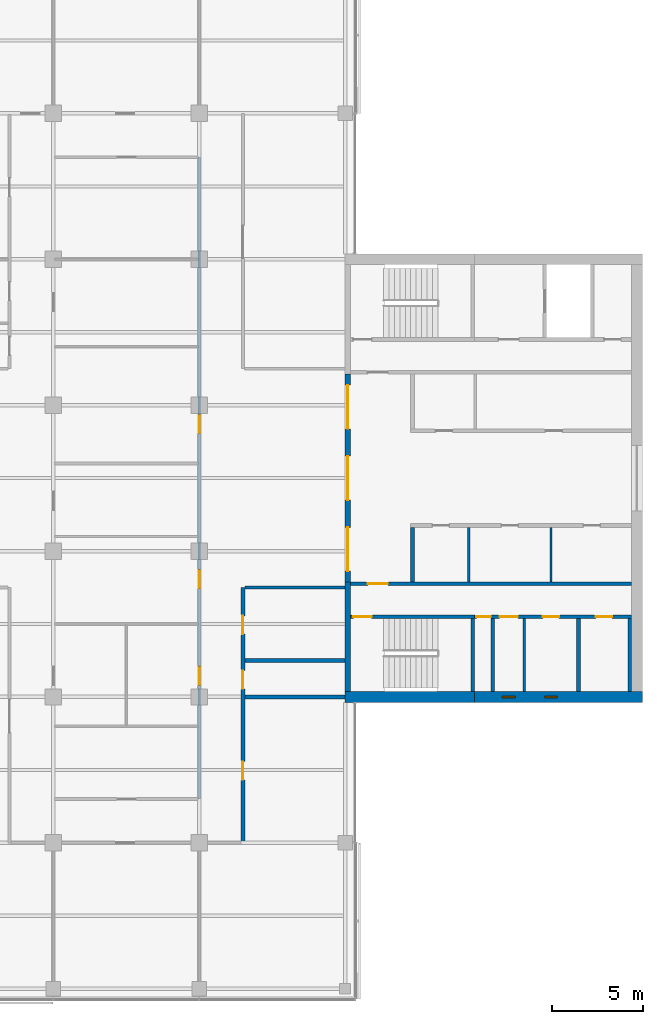
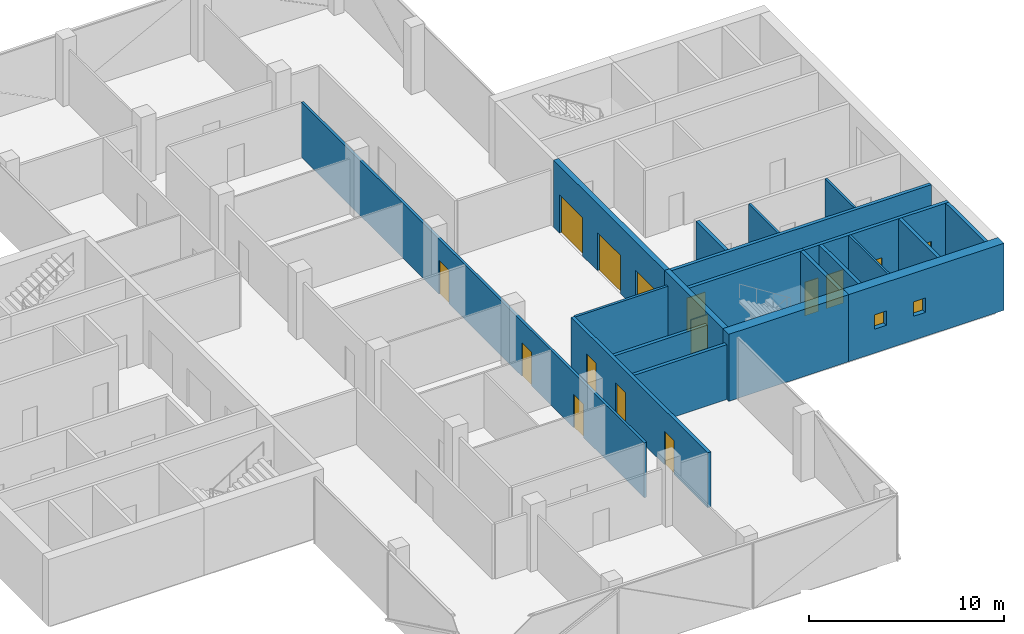
# One storey, part 10 of 15: 20 walls, 15 doors, 2 windows, 17 openings.
"""IFC4 building model written with IfcOpenShell, lengths in metres."""

from ifc_helpers import new_model, si_unit, direction, frame, frame_2d, origin, place, context, subcontext, project, spatial, rectangle, extrude, material, layer, layer_set, constituent, constituent_set, type_object, element, fill, save


model = new_model("IFC4")

# Units and contexts
model_context = context("Model", 3, precision=1e-05, world=origin(), true_north=direction((0.0, 1.0)))
body_context = subcontext(model_context, "Body", "Model", "MODEL_VIEW")
ifc_project = project(units=[si_unit("LENGTHUNIT", "METRE"), si_unit("AREAUNIT", "SQUARE_METRE"), si_unit("VOLUMEUNIT", "CUBIC_METRE"), si_unit("PLANEANGLEUNIT", "RADIAN"), si_unit("MASSUNIT", "GRAM", prefix="KILO")], contexts=[model_context])

# Site, building, storey
site_placement = place(None, origin())
site = spatial("IfcSite", under=ifc_project, at=site_placement, CompositionType="ELEMENT")
building_placement = place(site_placement, origin())
building = spatial("IfcBuilding", under=site, at=building_placement, Name="Crosswind Convention Tower", CompositionType="ELEMENT")
storey_placement = place(building_placement, frame((0.0, 0.0, 187.300048828125)))
storey = spatial("IfcBuildingStorey", under=building, at=storey_placement, Name="L39", CompositionType="ELEMENT", Elevation=187.300048828125)

# Wall
ifc_material_1 = material(Name="Concrete blockwork", Category="masonry")
ifc_layer_1 = layer(ifc_material_1, 0.199951171875)
ifc_layer_set_1 = layer_set([ifc_layer_1], Name="Blockwork partition wall 200")
wall_type_1 = type_object("IfcWallType", Name="Blockwork partition wall 200", PredefinedType="PARTITIONING", material=ifc_layer_set_1)
wall_1_placement = place(storey_placement, frame((145.10009765625, 88.300048828125, 0.0), z_axis=(0.0, 0.0, 1.0), x_axis=(0.0, 1.0, 0.0)))
element("IfcWall", 1, at=wall_1_placement, inside=storey, type_object=wall_type_1, Name="Wall MRSE E L39", PredefinedType="PARTITIONING", context=body_context, shape_type="SweptSolid", body=[
    extrude(rectangle(XDim=4.0, YDim=0.199951171875, at=frame_2d((2.0, 0.0))), origin(), (0.0, 0.0, 1.0), 4.199951171875),
])

# Wall, openings, doors
ifc_layer_2 = layer(ifc_material_1, 0.199951171875)
ifc_layer_set_2 = layer_set([ifc_layer_2], Name="COMPARTMENT WALL 200 BLOCKWORK")
wall_type_2 = type_object("IfcWallType", Name="COMPARTMENT WALL 200 BLOCKWORK", PredefinedType="SOLIDWALL", material=ifc_layer_set_2)
wall_2_placement = place(storey_placement, frame((131.39990234375, 80.0, 0.0), z_axis=(0.0, 0.0, 1.0), x_axis=(0.0, 1.0, 0.0)))
wall_2 = element("IfcWall", 2, at=wall_2_placement, inside=storey, type_object=wall_type_2, Name="Compartment wall WT42", PredefinedType="SOLIDWALL", context=body_context, shape_type="SweptSolid", body=[
    extrude(rectangle(XDim=14.0, YDim=0.199951171875, at=frame_2d((7.0, 0.0))), origin(), (0.0, 0.0, 1.0), 3.439697265625),
])
opening_1_placement = place(wall_2_placement, frame((11.449951171875, 0.0, 0.0)))
opening_1 = element("IfcOpeningElement", 3, at=opening_1_placement, cuts=wall_2, Name="Opening L39-51", PredefinedType="OPENING", context=body_context, shape_type="SweptSolid", body=[
    extrude(rectangle(XDim=1.0, YDim=2.10009765625, at=frame_2d((0.5, 1.050048828125))), frame((0.0, 0.10986328125, 0.0), z_axis=(0.0, -1.0, 0.0), x_axis=(1.0, 0.0, 0.0)), (0.0, 0.0, 1.0), 0.219970703125),
])
opening_2_placement = place(wall_2_placement, frame((8.449951171875, 0.0, 0.0)))
opening_2 = element("IfcOpeningElement", 4, at=opening_2_placement, cuts=wall_2, Name="Opening L39-52", PredefinedType="OPENING", context=body_context, shape_type="SweptSolid", body=[
    extrude(rectangle(XDim=1.0, YDim=2.10009765625, at=frame_2d((0.5, 1.050048828125))), frame((0.0, 0.10986328125, 0.0), z_axis=(0.0, -1.0, 0.0), x_axis=(1.0, 0.0, 0.0)), (0.0, 0.0, 1.0), 0.219970703125),
])
opening_3_placement = place(wall_2_placement, frame((3.449951171875, 0.0, 0.0)))
opening_3 = element("IfcOpeningElement", 5, at=opening_3_placement, cuts=wall_2, Name="Opening L39-53", PredefinedType="OPENING", context=body_context, shape_type="SweptSolid", body=[
    extrude(rectangle(XDim=1.0, YDim=2.10009765625, at=frame_2d((0.5, 1.050048828125))), frame((0.0, 0.10986328125, 0.0), z_axis=(0.0, -1.0, 0.0), x_axis=(1.0, 0.0, 0.0)), (0.0, 0.0, 1.0), 0.219970703125),
])
ifc_material_2 = material(Name="Steel fire door", Category="steel")
door_type_1 = type_object("IfcDoorType", Name="PLANT ROOM DOOR 1000X2100 FD60", OperationType="NOTDEFINED", PredefinedType="DOOR", material=ifc_material_2)
door_1_placement = place(opening_2_placement, frame((1.0, 0.0, 0.0), z_axis=(0.0, 0.0, 1.0), x_axis=(-1.0, 0.0, 0.0)))
door_1 = element("IfcDoor", 6, at=door_1_placement, inside=storey, type_object=door_type_1, Name="Door L39-52", ObjectType="D43", OperationType="SINGLE_SWING_RIGHT", OverallHeight=2.10009765625, OverallWidth=1.0, PredefinedType="DOOR", context=body_context, shape_type="SweptSolid", body=[
    extrude(rectangle(XDim=1.0, YDim=2.10009765625, at=frame_2d((0.5, 1.050048828125))), frame((0.0, 0.02490234375, 0.0), z_axis=(0.0, -1.0, 0.0), x_axis=(1.0, 0.0, 0.0)), (0.0, 0.0, 1.0), 0.050048828125),
])
fill(opening_2, door_1)
ifc_material_3 = material(Name="Timber fire door", Category="wood")
door_type_2 = type_object("IfcDoorType", Name="TENANCY ENTRANCE DOOR 1000X2100 FD30S", OperationType="NOTDEFINED", PredefinedType="DOOR", material=ifc_material_3)
door_2_placement = place(opening_1_placement, frame((1.0, 0.0, 0.0), z_axis=(0.0, 0.0, 1.0), x_axis=(-1.0, 0.0, 0.0)))
door_2 = element("IfcDoor", 7, at=door_2_placement, inside=storey, type_object=door_type_2, Name="Door L39-51", ObjectType="D41", OperationType="SINGLE_SWING_RIGHT", OverallHeight=2.10009765625, OverallWidth=1.0, PredefinedType="DOOR", context=body_context, shape_type="SweptSolid", body=[
    extrude(rectangle(XDim=1.0, YDim=2.10009765625, at=frame_2d((0.5, 1.050048828125))), frame((0.0, 0.02490234375, 0.0), z_axis=(0.0, -1.0, 0.0), x_axis=(1.0, 0.0, 0.0)), (0.0, 0.0, 1.0), 0.050048828125),
])
fill(opening_1, door_2)
door_3_placement = place(opening_3_placement, frame((1.0, 0.0, 0.0), z_axis=(0.0, 0.0, 1.0), x_axis=(-1.0, 0.0, 0.0)))
door_3 = element("IfcDoor", 8, at=door_3_placement, inside=storey, type_object=door_type_2, Name="Door L39-53", ObjectType="D41", OperationType="SINGLE_SWING_LEFT", OverallHeight=2.10009765625, OverallWidth=1.0, PredefinedType="DOOR", context=body_context, shape_type="SweptSolid", body=[
    extrude(rectangle(XDim=1.0, YDim=2.10009765625, at=frame_2d((0.5, 1.050048828125))), frame((0.0, 0.02490234375, 0.0), z_axis=(0.0, -1.0, 0.0), x_axis=(1.0, 0.0, 0.0)), (0.0, 0.0, 1.0), 0.050048828125),
])
fill(opening_3, door_3)

# Walls
for number, where, z_axis, x_axis, name in (
    (9, (131.5, 88.0, 0.0), (0.0, 0.0, 1.0), (1.0, 0.0, 0.0), "Compartment wall WT42"),
    (10, (131.5, 90.0, 0.0), (0.0, 0.0, 1.0), (1.0, 0.0, 0.0), "Compartment wall WT42"),
):
    element("IfcWall", number, at=place(storey_placement, frame(where, z_axis=z_axis, x_axis=x_axis)), inside=storey, type_object=wall_type_2, Name=name, PredefinedType="SOLIDWALL", context=body_context, shape_type="SweptSolid", body=[
        extrude(rectangle(XDim=5.5, YDim=0.199951171875, at=frame_2d((2.75, 0.0))), origin(), (0.0, 0.0, 1.0), 3.439697265625),
    ])

# Wall, openings, doors
ifc_material_4 = material(Name="Concrete C50/60", Category="concrete")
ifc_layer_3 = layer(ifc_material_4, 0.300048828125)
ifc_layer_set_3 = layer_set([ifc_layer_3], Name="Concrete C50/60")
wall_type_3 = type_object("IfcWallType", Name="Concrete inner core wall 300", PredefinedType="SHEAR", material=ifc_layer_set_3)
wall_3_placement = place(storey_placement, frame((137.14990234375, 94.300048828125, 0.0), z_axis=(0.0, 0.0, 1.0), x_axis=(0.0, 1.0, 0.0)))
wall_3 = element("IfcWall", 11, at=wall_3_placement, inside=storey, type_object=wall_type_3, Name="Wall SCR E L39", PredefinedType="SHEAR", context=body_context, shape_type="SweptSolid", body=[
    extrude(rectangle(XDim=11.39990234375, YDim=0.300048828125, at=frame_2d((5.699951171875, 0.0))), origin(), (0.0, 0.0, 1.0), 4.199951171875),
])
opening_4_placement = place(wall_3_placement, frame((0.60009765625, 0.0, 0.0)))
opening_4 = element("IfcOpeningElement", 12, at=opening_4_placement, cuts=wall_3, Name="Opening D100", PredefinedType="OPENING", context=body_context, shape_type="SweptSolid", body=[
    extrude(rectangle(XDim=2.39990234375, YDim=2.39990234375, at=frame_2d((1.199951171875, 1.199951171875))), frame((0.0, 0.159912109375, 0.0), z_axis=(0.0, -1.0, 0.0), x_axis=(1.0, 0.0, 0.0)), (0.0, 0.0, 1.0), 0.320068359375),
])
opening_5_placement = place(wall_3_placement, frame((4.5, 0.0, 0.0)))
opening_5 = element("IfcOpeningElement", 13, at=opening_5_placement, cuts=wall_3, Name="Opening D100", PredefinedType="OPENING", context=body_context, shape_type="SweptSolid", body=[
    extrude(rectangle(XDim=2.39990234375, YDim=2.39990234375, at=frame_2d((1.199951171875, 1.199951171875))), frame((0.0, 0.159912109375, 0.0), z_axis=(0.0, -1.0, 0.0), x_axis=(1.0, 0.0, 0.0)), (0.0, 0.0, 1.0), 0.320068359375),
])
opening_6_placement = place(wall_3_placement, frame((8.39990234375, 0.0, 0.0)))
opening_6 = element("IfcOpeningElement", 14, at=opening_6_placement, cuts=wall_3, Name="Opening D100", PredefinedType="OPENING", context=body_context, shape_type="SweptSolid", body=[
    extrude(rectangle(XDim=2.39990234375, YDim=2.39990234375, at=frame_2d((1.199951171875, 1.199951171875))), frame((0.0, 0.159912109375, 0.0), z_axis=(0.0, -1.0, 0.0), x_axis=(1.0, 0.0, 0.0)), (0.0, 0.0, 1.0), 0.320068359375),
])
ifc_material_5 = material(Name="Steel fire door with glazed vision panels", Category="steel")
door_type_3 = type_object("IfcDoorType", Name="Fire-rated double door 2400x2400", OperationType="DOUBLE_DOOR_SINGLE_SWING", PredefinedType="DOOR", material=ifc_material_5)
door_4_placement = place(opening_4_placement, origin())
door_4 = element("IfcDoor", 15, at=door_4_placement, inside=storey, type_object=door_type_3, Name="Lobby door 1 L39", ObjectType="D100", OperationType="DOUBLE_DOOR_SINGLE_SWING", OverallHeight=2.39990234375, OverallWidth=2.39990234375, PredefinedType="DOOR", context=body_context, shape_type="SweptSolid", body=[
    extrude(rectangle(XDim=2.39990234375, YDim=2.39990234375, at=frame_2d((1.199951171875, 1.199951171875))), frame((0.0, 0.02490234375, 0.0), z_axis=(0.0, -1.0, 0.0), x_axis=(1.0, 0.0, 0.0)), (0.0, 0.0, 1.0), 0.050048828125),
])
fill(opening_4, door_4)
door_5_placement = place(opening_5_placement, origin())
door_5 = element("IfcDoor", 16, at=door_5_placement, inside=storey, type_object=door_type_3, Name="Lobby door 2 L39", ObjectType="D100", OperationType="DOUBLE_DOOR_SINGLE_SWING", OverallHeight=2.39990234375, OverallWidth=2.39990234375, PredefinedType="DOOR", context=body_context, shape_type="SweptSolid", body=[
    extrude(rectangle(XDim=2.39990234375, YDim=2.39990234375, at=frame_2d((1.199951171875, 1.199951171875))), frame((0.0, 0.02490234375, 0.0), z_axis=(0.0, -1.0, 0.0), x_axis=(1.0, 0.0, 0.0)), (0.0, 0.0, 1.0), 0.050048828125),
])
fill(opening_5, door_5)
door_6_placement = place(opening_6_placement, origin())
door_6 = element("IfcDoor", 17, at=door_6_placement, inside=storey, type_object=door_type_3, Name="Lobby door 3 L39", ObjectType="D100", OperationType="DOUBLE_DOOR_SINGLE_SWING", OverallHeight=2.39990234375, OverallWidth=2.39990234375, PredefinedType="DOOR", context=body_context, shape_type="SweptSolid", body=[
    extrude(rectangle(XDim=2.39990234375, YDim=2.39990234375, at=frame_2d((1.199951171875, 1.199951171875))), frame((0.0, 0.02490234375, 0.0), z_axis=(0.0, -1.0, 0.0), x_axis=(1.0, 0.0, 0.0)), (0.0, 0.0, 1.0), 0.050048828125),
])
fill(opening_6, door_6)

# Walls
wall_4_placement = place(storey_placement, frame((137.14990234375, 88.300048828125, 0.0), z_axis=(0.0, 0.0, 1.0), x_axis=(0.0, 1.0, 0.0)))
element("IfcWall", 18, at=wall_4_placement, inside=storey, type_object=wall_type_3, Name="Wall EM E L39", PredefinedType="SHEAR", context=body_context, shape_type="SweptSolid", body=[
    extrude(rectangle(XDim=6.0, YDim=0.300048828125, at=frame_2d((3.0, 0.0))), origin(), (0.0, 0.0, 1.0), 4.199951171875),
])
ifc_layer_4 = layer(ifc_material_4, 0.199951171875)
ifc_layer_set_4 = layer_set([ifc_layer_4], Name="Concrete C50/60")
wall_type_4 = type_object("IfcWallType", Name="Concrete shaft and stair wall 200", PredefinedType="SHEAR", material=ifc_layer_set_4)
wall_5_placement = place(storey_placement, frame((140.699951171875, 94.300048828125, 0.0), z_axis=(0.0, 0.0, 1.0), x_axis=(0.0, 1.0, 0.0)))
element("IfcWall", 19, at=wall_5_placement, inside=storey, type_object=wall_type_4, Name="Wall RMEND E L39", PredefinedType="SHEAR", context=body_context, shape_type="SweptSolid", body=[
    extrude(rectangle(XDim=3.0, YDim=0.199951171875, at=frame_2d((1.5, 0.0))), origin(), (0.0, 0.0, 1.0), 4.199951171875),
])

# Wall, opening, door
wall_6_placement = place(storey_placement, frame((137.300048828125, 94.199951171875, 0.0), z_axis=(0.0, 0.0, 1.0), x_axis=(1.0, 0.0, 0.0)))
wall_6 = element("IfcWall", 20, at=wall_6_placement, inside=storey, type_object=wall_type_4, Name="Wall HM E L39", PredefinedType="SHEAR", context=body_context, shape_type="SweptSolid", body=[
    extrude(rectangle(XDim=15.39990234375, YDim=0.199951171875, at=frame_2d((7.699951171875, 0.0))), origin(), (0.0, 0.0, 1.0), 4.199951171875),
])
opening_7_placement = place(wall_6_placement, frame((0.949951171875, 0.0, 0.0)))
opening_7 = element("IfcOpeningElement", 21, at=opening_7_placement, cuts=wall_6, Name="Opening D104", PredefinedType="OPENING", context=body_context, shape_type="SweptSolid", body=[
    extrude(rectangle(XDim=1.10009765625, YDim=2.10009765625, at=frame_2d((0.550048828125, 1.050048828125))), frame((0.0, 0.10986328125, 0.0), z_axis=(0.0, -1.0, 0.0), x_axis=(1.0, 0.0, 0.0)), (0.0, 0.0, 1.0), 0.219970703125),
])
door_type_4 = type_object("IfcDoorType", Name="Fire-rated single door 1100x2100", OperationType="NOTDEFINED", PredefinedType="DOOR", material=ifc_material_2)
door_7_placement = place(opening_7_placement, origin())
door_7 = element("IfcDoor", 22, at=door_7_placement, inside=storey, type_object=door_type_4, Name="Corridor door L39", ObjectType="D104", OperationType="SINGLE_SWING_LEFT", OverallHeight=2.10009765625, OverallWidth=1.10009765625, PredefinedType="DOOR", context=body_context, shape_type="SweptSolid", body=[
    extrude(rectangle(XDim=1.10009765625, YDim=2.10009765625, at=frame_2d((0.550048828125, 1.050048828125))), frame((0.0, 0.02490234375, 0.0), z_axis=(0.0, -1.0, 0.0), x_axis=(1.0, 0.0, 0.0)), (0.0, 0.0, 1.0), 0.050048828125),
])
fill(opening_7, door_7)

# Walls
for number, where, z_axis, x_axis, name in (
    (23, (144.0, 88.300048828125, 0.0), (0.0, 0.0, 1.0), (0.0, 1.0, 0.0), "Wall MSE E L39"),
    (24, (149.800048828125, 88.300048828125, 0.0), (0.0, 0.0, 1.0), (0.0, 1.0, 0.0), "Wall MFSW E L39"),
    (25, (152.60009765625, 88.300048828125, 0.0), (0.0, 0.0, 1.0), (0.0, 1.0, 0.0), "Wall MFSE E L39"),
):
    element("IfcWall", number, at=place(storey_placement, frame(where, z_axis=z_axis, x_axis=x_axis)), inside=storey, type_object=wall_type_4, Name=name, PredefinedType="SHEAR", context=body_context, shape_type="SweptSolid", body=[
        extrude(rectangle(XDim=4.0, YDim=0.199951171875, at=frame_2d((2.0, 0.0))), origin(), (0.0, 0.0, 1.0), 4.199951171875),
    ])

# Wall, opening, door
wall_7_placement = place(storey_placement, frame((137.300048828125, 92.39990234375, 0.0), z_axis=(0.0, 0.0, 1.0), x_axis=(1.0, 0.0, 0.0)))
wall_7 = element("IfcWall", 26, at=wall_7_placement, inside=storey, type_object=wall_type_4, Name="Wall MCW E L39", PredefinedType="SHEAR", context=body_context, shape_type="SweptSolid", body=[
    extrude(rectangle(XDim=6.800048828125, YDim=0.199951171875, at=frame_2d((3.39990234375, 0.0))), origin(), (0.0, 0.0, 1.0), 4.199951171875),
])
opening_8_placement = place(wall_7_placement, frame((0.14990234375, 0.0, 0.0)))
opening_8 = element("IfcOpeningElement", 27, at=opening_8_placement, cuts=wall_7, Name="Opening D103", PredefinedType="OPENING", context=body_context, shape_type="SweptSolid", body=[
    extrude(rectangle(XDim=1.0, YDim=2.10009765625, at=frame_2d((0.5, 1.050048828125))), frame((0.0, 0.10986328125, 0.0), z_axis=(0.0, -1.0, 0.0), x_axis=(1.0, 0.0, 0.0)), (0.0, 0.0, 1.0), 0.219970703125),
])
door_type_5 = type_object("IfcDoorType", Name="Fire-rated single door 1000x2100", OperationType="NOTDEFINED", PredefinedType="DOOR", material=ifc_material_2)
door_8_placement = place(opening_8_placement, frame((1.0, 0.0, 0.0), z_axis=(0.0, 0.0, 1.0), x_axis=(-1.0, 0.0, 0.0)))
door_8 = element("IfcDoor", 28, at=door_8_placement, inside=storey, type_object=door_type_5, Name="Stair ST2 door L39", ObjectType="D103", OperationType="SINGLE_SWING_RIGHT", OverallHeight=2.10009765625, OverallWidth=1.0, PredefinedType="DOOR", context=body_context, shape_type="SweptSolid", body=[
    extrude(rectangle(XDim=1.0, YDim=2.10009765625, at=frame_2d((0.5, 1.050048828125))), frame((0.0, 0.02490234375, 0.0), z_axis=(0.0, -1.0, 0.0), x_axis=(1.0, 0.0, 0.0)), (0.0, 0.0, 1.0), 0.050048828125),
])
fill(opening_8, door_8)

# Wall, openings, doors
wall_8_placement = place(storey_placement, frame((144.10009765625, 92.39990234375, 0.0), z_axis=(0.0, 0.0, 1.0), x_axis=(1.0, 0.0, 0.0)))
wall_8 = element("IfcWall", 29, at=wall_8_placement, inside=storey, type_object=wall_type_4, Name="Wall MCX E L39", PredefinedType="SHEAR", context=body_context, shape_type="SweptSolid", body=[
    extrude(rectangle(XDim=8.599853515625, YDim=0.199951171875, at=frame_2d((4.2998046875, 0.0))), origin(), (0.0, 0.0, 1.0), 4.199951171875),
])
opening_9_placement = place(wall_8_placement, frame((0.10009765625, 0.0, 0.0)))
opening_9 = element("IfcOpeningElement", 30, at=opening_9_placement, cuts=wall_8, Name="Opening D105", PredefinedType="OPENING", context=body_context, shape_type="SweptSolid", body=[
    extrude(rectangle(XDim=0.800048828125, YDim=2.10009765625, at=frame_2d((0.39990234375, 1.050048828125))), frame((0.0, 0.10986328125, 0.0), z_axis=(0.0, -1.0, 0.0), x_axis=(1.0, 0.0, 0.0)), (0.0, 0.0, 1.0), 0.219970703125),
])
opening_10_placement = place(wall_8_placement, frame((1.378662109375, 0.0, 0.0)))
opening_10 = element("IfcOpeningElement", 31, at=opening_10_placement, cuts=wall_8, Name="Opening D103", PredefinedType="OPENING", context=body_context, shape_type="SweptSolid", body=[
    extrude(rectangle(XDim=1.0, YDim=2.10009765625, at=frame_2d((0.5, 1.050048828125))), frame((0.0, 0.10986328125, 0.0), z_axis=(0.0, -1.0, 0.0), x_axis=(1.0, 0.0, 0.0)), (0.0, 0.0, 1.0), 0.219970703125),
])
opening_11_placement = place(wall_8_placement, frame((3.7412109375, 0.0, 0.0)))
opening_11 = element("IfcOpeningElement", 32, at=opening_11_placement, cuts=wall_8, Name="Opening D106", PredefinedType="OPENING", context=body_context, shape_type="SweptSolid", body=[
    extrude(rectangle(XDim=0.89990234375, YDim=2.10009765625, at=frame_2d((0.449951171875, 1.050048828125))), frame((0.0, 0.10986328125, 0.0), z_axis=(0.0, -1.0, 0.0), x_axis=(1.0, 0.0, 0.0)), (0.0, 0.0, 1.0), 0.219970703125),
])
opening_12_placement = place(wall_8_placement, frame((6.64990234375, 0.0, 0.0)))
opening_12 = element("IfcOpeningElement", 33, at=opening_12_placement, cuts=wall_8, Name="Opening D106", PredefinedType="OPENING", context=body_context, shape_type="SweptSolid", body=[
    extrude(rectangle(XDim=0.89990234375, YDim=2.10009765625, at=frame_2d((0.449951171875, 1.050048828125))), frame((0.0, 0.10986328125, 0.0), z_axis=(0.0, -1.0, 0.0), x_axis=(1.0, 0.0, 0.0)), (0.0, 0.0, 1.0), 0.219970703125),
])
door_9_placement = place(opening_10_placement, frame((1.0, 0.0, 0.0), z_axis=(0.0, 0.0, 1.0), x_axis=(-1.0, 0.0, 0.0)))
door_9 = element("IfcDoor", 34, at=door_9_placement, inside=storey, type_object=door_type_5, Name="Door to accessible wc L39", ObjectType="D103", OperationType="SINGLE_SWING_LEFT", OverallHeight=2.10009765625, OverallWidth=1.0, PredefinedType="DOOR", context=body_context, shape_type="SweptSolid", body=[
    extrude(rectangle(XDim=1.0, YDim=2.10009765625, at=frame_2d((0.5, 1.050048828125))), frame((0.0, 0.02490234375, 0.0), z_axis=(0.0, -1.0, 0.0), x_axis=(1.0, 0.0, 0.0)), (0.0, 0.0, 1.0), 0.050048828125),
])
fill(opening_10, door_9)
door_type_6 = type_object("IfcDoorType", Name="Riser access door 800x2100", OperationType="NOTDEFINED", PredefinedType="DOOR", material=ifc_material_2)
door_10_placement = place(opening_9_placement, frame((0.800048828125, 0.0, 0.0), z_axis=(0.0, 0.0, 1.0), x_axis=(-1.0, 0.0, 0.0)))
door_10 = element("IfcDoor", 35, at=door_10_placement, inside=storey, type_object=door_type_6, Name="Riser door L39", ObjectType="D105", OperationType="SINGLE_SWING_LEFT", OverallHeight=2.10009765625, OverallWidth=0.800048828125, PredefinedType="DOOR", context=body_context, shape_type="SweptSolid", body=[
    extrude(rectangle(XDim=0.800048828125, YDim=2.10009765625, at=frame_2d((0.39990234375, 1.050048828125))), frame((0.0, 0.02490234375, 0.0), z_axis=(0.0, -1.0, 0.0), x_axis=(1.0, 0.0, 0.0)), (0.0, 0.0, 1.0), 0.050048828125),
])
fill(opening_9, door_10)
ifc_material_6 = material(Name="Timber door", Category="wood")
door_type_7 = type_object("IfcDoorType", Name="Single leaf door 900x2100", OperationType="NOTDEFINED", PredefinedType="DOOR", material=ifc_material_6)
door_11_placement = place(opening_11_placement, frame((0.89990234375, 0.0, 0.0), z_axis=(0.0, 0.0, 1.0), x_axis=(-1.0, 0.0, 0.0)))
door_11 = element("IfcDoor", 36, at=door_11_placement, inside=storey, type_object=door_type_7, Name="Door to wc L39", ObjectType="D106", OperationType="SINGLE_SWING_LEFT", OverallHeight=2.10009765625, OverallWidth=0.89990234375, PredefinedType="DOOR", context=body_context, shape_type="SweptSolid", body=[
    extrude(rectangle(XDim=0.89990234375, YDim=2.10009765625, at=frame_2d((0.449951171875, 1.050048828125))), frame((0.0, 0.02490234375, 0.0), z_axis=(0.0, -1.0, 0.0), x_axis=(1.0, 0.0, 0.0)), (0.0, 0.0, 1.0), 0.050048828125),
])
fill(opening_11, door_11)
door_12_placement = place(opening_12_placement, frame((0.89990234375, 0.0, 0.0), z_axis=(0.0, 0.0, 1.0), x_axis=(-1.0, 0.0, 0.0)))
door_12 = element("IfcDoor", 37, at=door_12_placement, inside=storey, type_object=door_type_7, Name="Door to wc L39", ObjectType="D106", OperationType="SINGLE_SWING_LEFT", OverallHeight=2.10009765625, OverallWidth=0.89990234375, PredefinedType="DOOR", context=body_context, shape_type="SweptSolid", body=[
    extrude(rectangle(XDim=0.89990234375, YDim=2.10009765625, at=frame_2d((0.449951171875, 1.050048828125))), frame((0.0, 0.02490234375, 0.0), z_axis=(0.0, -1.0, 0.0), x_axis=(1.0, 0.0, 0.0)), (0.0, 0.0, 1.0), 0.050048828125),
])
fill(opening_12, door_12)

# Walls
ifc_material_7 = material(Name="Gypsum plasterboard partition", Category="gypsum")
ifc_layer_5 = layer(ifc_material_7, 0.125)
ifc_layer_set_5 = layer_set([ifc_layer_5], Name="Drywall partition wall 125")
wall_type_5 = type_object("IfcWallType", Name="Drywall partition wall 125", PredefinedType="PARTITIONING", material=ifc_layer_set_5)
for number, where, z_axis, x_axis, name in (
    (38, (143.77490234375, 94.300048828125, 0.0), (0.0, 0.0, 1.0), (0.0, 1.0, 0.0), "Wall RMP1 E L39"),
    (39, (148.297119140625, 94.300048828125, 0.0), (0.0, 0.0, 1.0), (0.0, 1.0, 0.0), "Wall RMP2 E L39"),
):
    element("IfcWall", number, at=place(storey_placement, frame(where, z_axis=z_axis, x_axis=x_axis)), inside=storey, type_object=wall_type_5, Name=name, PredefinedType="PARTITIONING", context=body_context, shape_type="SweptSolid", body=[
        extrude(rectangle(XDim=3.0, YDim=0.125, at=frame_2d((1.5, 0.0))), origin(), (0.0, 0.0, 1.0), 4.199951171875),
    ])
wall_9_placement = place(storey_placement, frame((146.820068359375, 88.300048828125, 0.0), z_axis=(0.0, 0.0, 1.0), x_axis=(0.0, 1.0, 0.0)))
element("IfcWall", 40, at=wall_9_placement, inside=storey, type_object=wall_type_5, Name="Wall MWP1 E L39", PredefinedType="PARTITIONING", context=body_context, shape_type="SweptSolid", body=[
    extrude(rectangle(XDim=4.0, YDim=0.125, at=frame_2d((2.0, 0.0))), origin(), (0.0, 0.0, 1.0), 4.199951171875),
])

# Wall, openings, doors
ifc_material_8 = material(Name="Fire-board partition with mineral wool", Category="gypsum")
ifc_layer_6 = layer(ifc_material_8, 0.14990234375)
ifc_layer_set_6 = layer_set([ifc_layer_6], Name="TENANCY WALL 150 TWO-HOUR BOARD")
wall_type_6 = type_object("IfcWallType", Name="TENANCY WALL 150 TWO-HOUR BOARD", PredefinedType="PARTITIONING", material=ifc_layer_set_6)
wall_10_placement = place(storey_placement, frame((129.0, 82.39990234375, 0.0), z_axis=(0.0, 0.0, 1.0), x_axis=(0.0, 1.0, 0.0)))
wall_10 = element("IfcWall", 41, at=wall_10_placement, inside=storey, type_object=wall_type_6, Name="Tenancy wall WT41", PredefinedType="PARTITIONING", context=body_context, shape_type="SweptSolid", body=[
    extrude(rectangle(XDim=35.2001953125, YDim=0.14990234375, at=frame_2d((17.60009765625, 0.0))), origin(), (0.0, 0.0, 1.0), 3.439697265625),
])
opening_13_placement = place(wall_10_placement, frame((6.25, 0.0, 0.0)))
opening_13 = element("IfcOpeningElement", 42, at=opening_13_placement, cuts=wall_10, Name="Opening L39-63", PredefinedType="OPENING", context=body_context, shape_type="SweptSolid", body=[
    extrude(rectangle(XDim=1.0, YDim=2.10009765625, at=frame_2d((0.5, 1.050048828125))), frame((0.0, 0.0849609375, 0.0), z_axis=(0.0, -1.0, 0.0), x_axis=(1.0, 0.0, 0.0)), (0.0, 0.0, 1.0), 0.169921875),
])
opening_14_placement = place(wall_10_placement, frame((11.550048828125, 0.0, 0.0)))
opening_14 = element("IfcOpeningElement", 43, at=opening_14_placement, cuts=wall_10, Name="Opening L39-64", PredefinedType="OPENING", context=body_context, shape_type="SweptSolid", body=[
    extrude(rectangle(XDim=1.0, YDim=2.10009765625, at=frame_2d((0.5, 1.050048828125))), frame((0.0, 0.0849609375, 0.0), z_axis=(0.0, -1.0, 0.0), x_axis=(1.0, 0.0, 0.0)), (0.0, 0.0, 1.0), 0.169921875),
])
opening_15_placement = place(wall_10_placement, frame((20.050048828125, 0.0, 0.0)))
opening_15 = element("IfcOpeningElement", 44, at=opening_15_placement, cuts=wall_10, Name="Opening L39-66", PredefinedType="OPENING", context=body_context, shape_type="SweptSolid", body=[
    extrude(rectangle(XDim=1.0, YDim=2.10009765625, at=frame_2d((0.5, 1.050048828125))), frame((0.0, 0.0849609375, 0.0), z_axis=(0.0, -1.0, 0.0), x_axis=(1.0, 0.0, 0.0)), (0.0, 0.0, 1.0), 0.169921875),
])
door_13_placement = place(opening_13_placement, origin())
door_13 = element("IfcDoor", 45, at=door_13_placement, inside=storey, type_object=door_type_2, Name="Door L39-63", ObjectType="D41", OperationType="SINGLE_SWING_LEFT", OverallHeight=2.10009765625, OverallWidth=1.0, PredefinedType="DOOR", context=body_context, shape_type="SweptSolid", body=[
    extrude(rectangle(XDim=1.0, YDim=2.10009765625, at=frame_2d((0.5, 1.050048828125))), frame((0.0, 0.02490234375, 0.0), z_axis=(0.0, -1.0, 0.0), x_axis=(1.0, 0.0, 0.0)), (0.0, 0.0, 1.0), 0.050048828125),
])
fill(opening_13, door_13)
door_14_placement = place(opening_14_placement, origin())
door_14 = element("IfcDoor", 46, at=door_14_placement, inside=storey, type_object=door_type_2, Name="Door L39-64", ObjectType="D41", OperationType="SINGLE_SWING_RIGHT", OverallHeight=2.10009765625, OverallWidth=1.0, PredefinedType="DOOR", context=body_context, shape_type="SweptSolid", body=[
    extrude(rectangle(XDim=1.0, YDim=2.10009765625, at=frame_2d((0.5, 1.050048828125))), frame((0.0, 0.02490234375, 0.0), z_axis=(0.0, -1.0, 0.0), x_axis=(1.0, 0.0, 0.0)), (0.0, 0.0, 1.0), 0.050048828125),
])
fill(opening_14, door_14)
door_15_placement = place(opening_15_placement, origin())
door_15 = element("IfcDoor", 47, at=door_15_placement, inside=storey, type_object=door_type_2, Name="Door L39-66", ObjectType="D41", OperationType="SINGLE_SWING_RIGHT", OverallHeight=2.10009765625, OverallWidth=1.0, PredefinedType="DOOR", context=body_context, shape_type="SweptSolid", body=[
    extrude(rectangle(XDim=1.0, YDim=2.10009765625, at=frame_2d((0.5, 1.050048828125))), frame((0.0, 0.02490234375, 0.0), z_axis=(0.0, -1.0, 0.0), x_axis=(1.0, 0.0, 0.0)), (0.0, 0.0, 1.0), 0.050048828125),
])
fill(opening_15, door_15)

# Walls
wall_11_placement = place(storey_placement, frame((131.5, 94.0, 0.0), z_axis=(0.0, 0.0, 1.0), x_axis=(1.0, 0.0, 0.0)))
element("IfcWall", 48, at=wall_11_placement, inside=storey, type_object=wall_type_6, Name="Tenancy wall WT41", PredefinedType="PARTITIONING", context=body_context, shape_type="SweptSolid", body=[
    extrude(rectangle(XDim=5.5, YDim=0.14990234375, at=frame_2d((2.75, 0.0))), origin(), (0.0, 0.0, 1.0), 3.439697265625),
])
ifc_material_9 = material(Name="Concrete C60/75", Category="concrete")
ifc_constituent_1 = constituent(ifc_material_9, Name="Structure")
ifc_material_10 = material(Name="Terracotta rainscreen", Category="ceramic")
ifc_constituent_2 = constituent(ifc_material_10, Name="Facing")
ifc_constituent_set = constituent_set(constituents=[ifc_constituent_1, ifc_constituent_2], Name="Concrete C60/75, Terracotta rainscreen")
wall_type_7 = type_object("IfcWallType", Name="Terracotta rainscreen on concrete core wall 600", PredefinedType="SHEAR", material=ifc_constituent_set)
wall_12_placement = place(storey_placement, frame((137.0, 88.0, 0.0), z_axis=(0.0, 0.0, 1.0), x_axis=(1.0, 0.0, 0.0)))
element("IfcWall", 49, at=wall_12_placement, inside=storey, type_object=wall_type_7, Name="Wall S1 E L39", PredefinedType="SHEAR", context=body_context, shape_type="SweptSolid", body=[
    extrude(rectangle(XDim=7.10009765625, YDim=0.60009765625, at=frame_2d((3.550048828125, 0.0))), origin(), (0.0, 0.0, 1.0), 4.199951171875),
])

# Wall, openings, windows
wall_13_placement = place(storey_placement, frame((144.10009765625, 88.0, 0.0), z_axis=(0.0, 0.0, 1.0), x_axis=(1.0, 0.0, 0.0)))
wall_13 = element("IfcWall", 50, at=wall_13_placement, inside=storey, type_object=wall_type_7, Name="Wall S2 E L39", PredefinedType="SHEAR", context=body_context, shape_type="SweptSolid", body=[
    extrude(rectangle(XDim=9.199951171875, YDim=0.60009765625, at=frame_2d((4.60009765625, 0.0))), origin(), (0.0, 0.0, 1.0), 4.199951171875),
])
opening_16_placement = place(wall_13_placement, frame((1.52880859375, 0.0, 1.5)))
opening_16 = element("IfcOpeningElement", 51, at=opening_16_placement, cuts=wall_13, Name="Opening W2", PredefinedType="OPENING", context=body_context, shape_type="SweptSolid", body=[
    extrude(rectangle(XDim=0.699951171875, YDim=0.89990234375, at=frame_2d((0.35009765625, 0.449951171875))), frame((0.0, 0.31005859375, 0.0), z_axis=(0.0, -1.0, 0.0), x_axis=(1.0, 0.0, 0.0)), (0.0, 0.0, 1.0), 0.6201171875),
])
opening_17_placement = place(wall_13_placement, frame((3.84130859375, 0.0, 1.5)))
opening_17 = element("IfcOpeningElement", 52, at=opening_17_placement, cuts=wall_13, Name="Opening W2", PredefinedType="OPENING", context=body_context, shape_type="SweptSolid", body=[
    extrude(rectangle(XDim=0.699951171875, YDim=0.89990234375, at=frame_2d((0.35009765625, 0.449951171875))), frame((0.0, 0.31005859375, 0.0), z_axis=(0.0, -1.0, 0.0), x_axis=(1.0, 0.0, 0.0)), (0.0, 0.0, 1.0), 0.6201171875),
])
ifc_material_11 = material(Name="Obscure glass in aluminium frame", Category="aluminium")
window_type = type_object("IfcWindowType", Name="WC window 700x900", PartitioningType="SINGLE_PANEL", PredefinedType="WINDOW", material=ifc_material_11)
window_1_placement = place(opening_16_placement, origin())
window_1 = element("IfcWindow", 53, at=window_1_placement, inside=storey, type_object=window_type, Name="WC window L39", ObjectType="W2", OverallHeight=0.89990234375, OverallWidth=0.699951171875, PartitioningType="SINGLE_PANEL", PredefinedType="WINDOW", context=body_context, shape_type="SweptSolid", body=[
    extrude(rectangle(XDim=0.699951171875, YDim=0.89990234375, at=frame_2d((0.35009765625, 0.449951171875))), frame((0.0, 0.030029296875, 0.0), z_axis=(0.0, -1.0, 0.0), x_axis=(1.0, 0.0, 0.0)), (0.0, 0.0, 1.0), 0.06005859375),
])
fill(opening_16, window_1)
window_2_placement = place(opening_17_placement, origin())
window_2 = element("IfcWindow", 54, at=window_2_placement, inside=storey, type_object=window_type, Name="WC window L39", ObjectType="W2", OverallHeight=0.89990234375, OverallWidth=0.699951171875, PartitioningType="SINGLE_PANEL", PredefinedType="WINDOW", context=body_context, shape_type="SweptSolid", body=[
    extrude(rectangle(XDim=0.699951171875, YDim=0.89990234375, at=frame_2d((0.35009765625, 0.449951171875))), frame((0.0, 0.030029296875, 0.0), z_axis=(0.0, -1.0, 0.0), x_axis=(1.0, 0.0, 0.0)), (0.0, 0.0, 1.0), 0.06005859375),
])
fill(opening_17, window_2)

save(model, "model.ifc")
